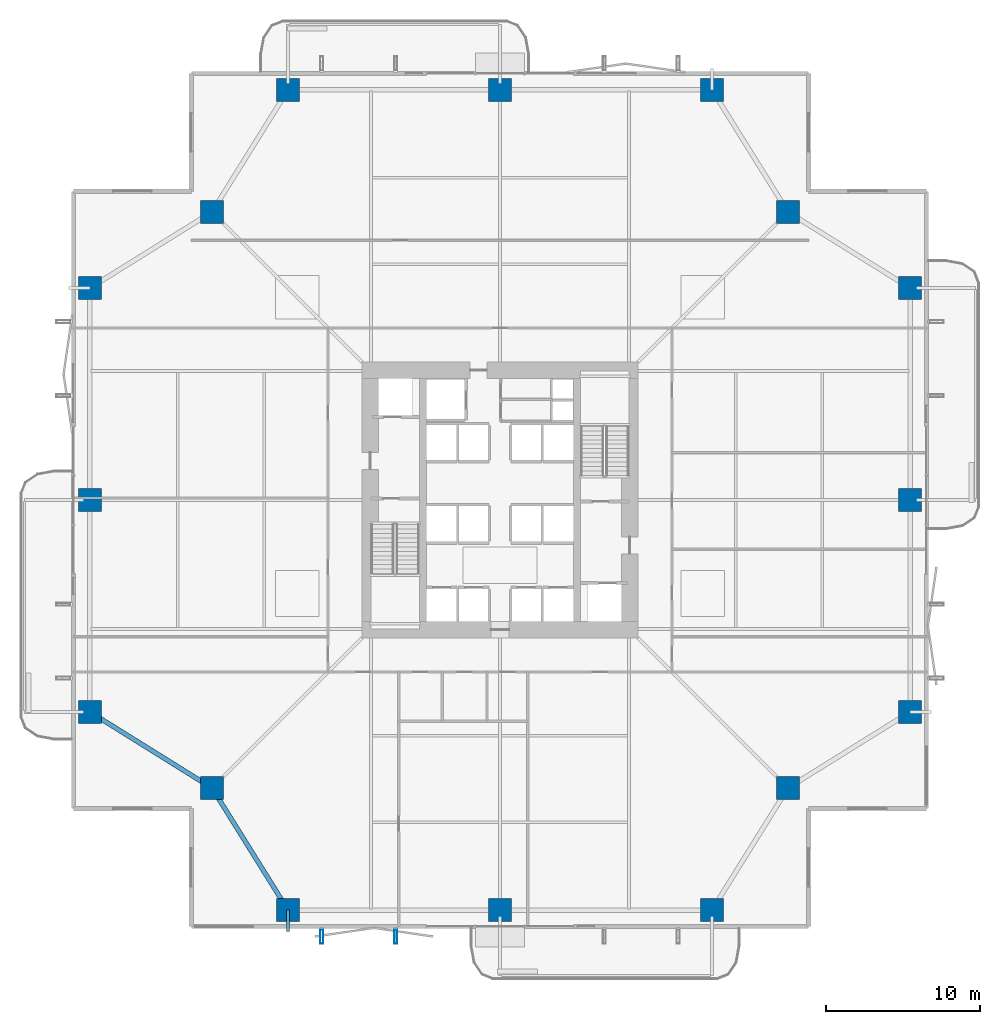
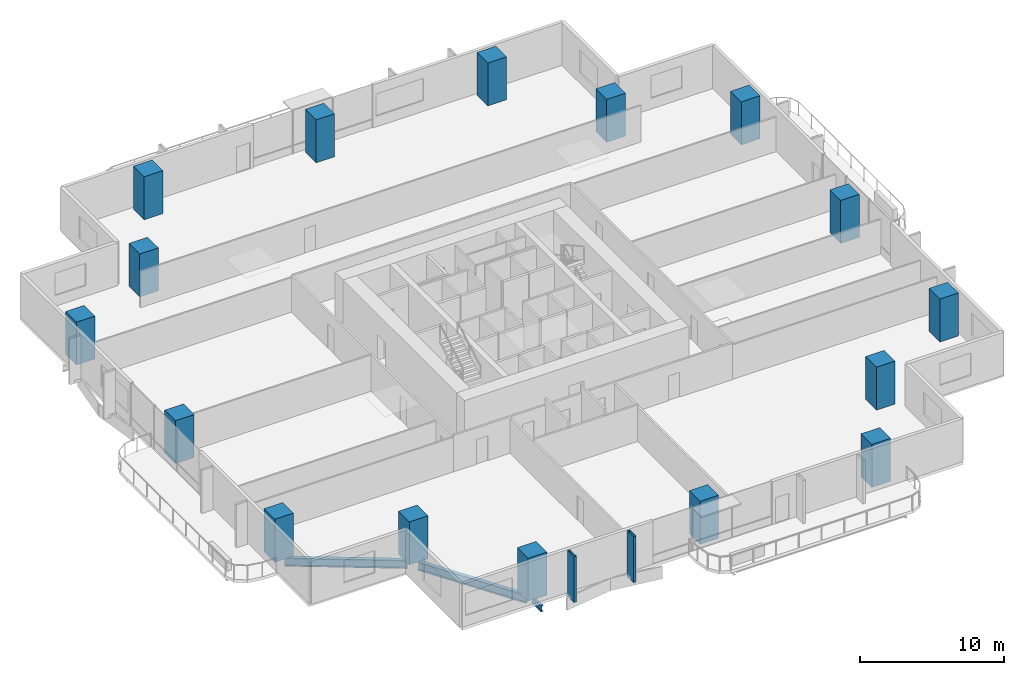
# One storey, part 1 of 24: 16 columns, 3 beams, 2 members.
"""IFC4 building model written with IfcOpenShell, lengths in metres."""

from ifc_helpers import new_model, si_unit, direction, frame, origin, origin_2d, place, context, subcontext, project, spatial, rectangle, hollow_rectangle, i_section, extrude, material, material_profile, profile_set, type_object, element, save


model = new_model("IFC4")

# Units and contexts
model_context = context("Model", 3, precision=1e-05, world=origin(), true_north=direction((0.0, 1.0)))
body_context = subcontext(model_context, "Body", "Model", "MODEL_VIEW")
ifc_project = project(units=[si_unit("LENGTHUNIT", "METRE"), si_unit("AREAUNIT", "SQUARE_METRE"), si_unit("VOLUMEUNIT", "CUBIC_METRE"), si_unit("PLANEANGLEUNIT", "RADIAN"), si_unit("MASSUNIT", "GRAM", prefix="KILO")], contexts=[model_context])

# Site, building, storey
site_placement = place(None, origin())
site = spatial("IfcSite", under=ifc_project, at=site_placement, CompositionType="ELEMENT")
building_placement = place(site_placement, origin())
building = spatial("IfcBuilding", under=site, at=building_placement, Name="Belovzor Exchange Tower", CompositionType="ELEMENT")
storey_placement = place(building_placement, frame((0.0, 0.0, 92.39990234375)))
storey = spatial("IfcBuildingStorey", under=building, at=storey_placement, Name="L22", CompositionType="ELEMENT", Elevation=92.39990234375)

# Columns
ifc_material_1 = material(Name="Concrete C60/75", Category="concrete")
ifc_material_profile_1 = material_profile(ifc_material_1, rectangle(XDim=1.5, YDim=1.5, at=origin_2d()))
ifc_profile_set_1 = profile_set([ifc_material_profile_1], Name="Concrete C60/75")
column_type = type_object("IfcColumnType", Name="Reinforced Concrete Tower Column 1500x1500", PredefinedType="COLUMN", material=ifc_profile_set_1)
for number, where, z_axis, x_axis, name in (
    (1, (15.0, 2.10009765625, 0.003173828125), (0.0, 0.0, 1.0), (1.0, 0.0, 0.0), "COL-T150 Reinforced Concrete Tower Column 1500x1500"),
    (2, (28.800048828125, 2.10009765625, 0.003173828125), (0.0, 0.0, 1.0), (1.0, 0.0, 0.0), "COL-T150 Reinforced Concrete Tower Column 1500x1500"),
    (3, (42.60009765625, 2.10009765625, 0.003173828125), (0.0, 0.0, 1.0), (1.0, 0.0, 0.0), "COL-T150 Reinforced Concrete Tower Column 1500x1500"),
    (4, (55.5, 15.0, 0.003173828125), (0.0, 0.0, 1.0), (1.0, 0.0, 0.0), "COL-T150 Reinforced Concrete Tower Column 1500x1500"),
    (5, (55.5, 28.800048828125, 0.003173828125), (0.0, 0.0, 1.0), (1.0, 0.0, 0.0), "COL-T150 Reinforced Concrete Tower Column 1500x1500"),
    (6, (55.5, 42.60009765625, 0.003173828125), (0.0, 0.0, 1.0), (1.0, 0.0, 0.0), "COL-T150 Reinforced Concrete Tower Column 1500x1500"),
    (7, (42.60009765625, 55.5, 0.003173828125), (0.0, 0.0, 1.0), (1.0, 0.0, 0.0), "COL-T150 Reinforced Concrete Tower Column 1500x1500"),
    (8, (28.800048828125, 55.5, 0.003173828125), (0.0, 0.0, 1.0), (1.0, 0.0, 0.0), "COL-T150 Reinforced Concrete Tower Column 1500x1500"),
    (9, (15.0, 55.5, 0.003173828125), (0.0, 0.0, 1.0), (1.0, 0.0, 0.0), "COL-T150 Reinforced Concrete Tower Column 1500x1500"),
    (10, (2.10009765625, 42.60009765625, 0.003173828125), (0.0, 0.0, 1.0), (1.0, 0.0, 0.0), "COL-T150 Reinforced Concrete Tower Column 1500x1500"),
    (11, (2.10009765625, 28.800048828125, 0.003173828125), (0.0, 0.0, 1.0), (1.0, 0.0, 0.0), "COL-T150 Reinforced Concrete Tower Column 1500x1500"),
    (12, (2.10009765625, 15.0, 0.003173828125), (0.0, 0.0, 1.0), (1.0, 0.0, 0.0), "COL-T150 Reinforced Concrete Tower Column 1500x1500"),
    (13, (10.050048828125, 10.050048828125, 0.003173828125), (0.0, 0.0, 1.0), (1.0, 0.0, 0.0), "COL-T150 Reinforced Concrete Tower Column 1500x1500"),
    (14, (47.550048828125, 10.050048828125, 0.003173828125), (0.0, 0.0, 1.0), (1.0, 0.0, 0.0), "COL-T150 Reinforced Concrete Tower Column 1500x1500"),
    (15, (47.550048828125, 47.550048828125, 0.003173828125), (0.0, 0.0, 1.0), (1.0, 0.0, 0.0), "COL-T150 Reinforced Concrete Tower Column 1500x1500"),
    (16, (10.050048828125, 47.550048828125, 0.003173828125), (0.0, 0.0, 1.0), (1.0, 0.0, 0.0), "COL-T150 Reinforced Concrete Tower Column 1500x1500"),
):
    element("IfcColumn", number, at=place(storey_placement, frame(where, z_axis=z_axis, x_axis=x_axis)), inside=storey, type_object=column_type, Name=name, PredefinedType="COLUMN", context=body_context, shape_type="SweptSolid", body=[
        extrude(rectangle(XDim=1.5, YDim=1.5, at=origin_2d()), origin(), (0.0, 0.0, 1.0), 3.64404296875),
    ])

# Beam
ifc_material_2 = material(Name="Steel S355", Category="steel")
ifc_material_profile_2 = material_profile(ifc_material_2, i_section(OverallWidth=0.199951171875, OverallDepth=0.5, WebThickness=0.01025390625, FlangeThickness=0.01611328125, at=origin_2d()))
ifc_profile_set_2 = profile_set([ifc_material_profile_2], Name="Steel S355")
beam_type_1 = type_object("IfcBeamType", Name="Planted Balcony Cantilever Beam IPE 500", PredefinedType="BEAM", material=ifc_profile_set_2)
beam_placement = place(storey_placement, frame((15.0, 2.10009765625, -0.5), z_axis=(0.0, -1.0, 0.0), x_axis=(1.0, 0.0, 0.0)))
element("IfcBeam", 17, at=beam_placement, inside=storey, type_object=beam_type_1, Name="BC-500 Planted Balcony Cantilever Beam IPE 500", PredefinedType="BEAM", context=body_context, shape_type="SweptSolid", body=[
    extrude(i_section(OverallWidth=0.199951171875, OverallDepth=0.5, WebThickness=0.01025390625, FlangeThickness=0.01611328125, at=origin_2d()), origin(), (0.0, 0.0, 1.0), 1.400146484375),
])

# Members
ifc_material_3 = material(Name="Extruded Architectural Terracotta on Steel S355 Carrier", Category="masonry")
ifc_material_profile_3 = material_profile(ifc_material_3, hollow_rectangle(XDim=0.199951171875, YDim=0.89990234375, WallThickness=0.011962890625, at=origin_2d()))
ifc_profile_set_3 = profile_set([ifc_material_profile_3], Name="Extruded Architectural Terracotta on Steel S355 Carrier")
member_type = type_object("IfcMemberType", Name="Sweeping Terracotta Baguette Fin Assembly 1250", PredefinedType="USERDEFINED", material=ifc_profile_set_3)
for number, where, z_axis, x_axis, name in (
    (18, (17.199951171875, 0.375, -0.25), (0.0, 0.0, 1.0), (1.0, 0.0, 0.0), "FIN-TC125 Terracotta Facade Fin L22 S1"),
    (19, (22.0, 0.375, -0.25), (0.0, 0.0, 1.0), (1.0, 0.0, 0.0), "FIN-TC125 Terracotta Facade Fin L22 S2"),
):
    element("IfcMember", number, at=place(storey_placement, frame(where, z_axis=z_axis, x_axis=x_axis)), inside=storey, type_object=member_type, Name=name, ObjectType="FIN", PredefinedType="USERDEFINED", context=body_context, shape_type="SweptSolid", body=[
        extrude(hollow_rectangle(XDim=0.199951171875, YDim=0.89990234375, WallThickness=0.011962890625, at=origin_2d()), origin(), (0.0, 0.0, 1.0), 3.900146484375),
    ])

# Beams
ifc_material_4 = material(Name="Steel S355", Category="steel")
ifc_material_profile_4 = material_profile(ifc_material_4, i_section(OverallWidth=0.300048828125, OverallDepth=0.699951171875, WebThickness=0.01708984375, FlangeThickness=0.031982421875, at=origin_2d()))
ifc_profile_set_4 = profile_set([ifc_material_profile_4], Name="Steel S355")
beam_type_2 = type_object("IfcBeamType", Name="Zone 1 Primary Perimeter Girder HEB 700", PredefinedType="BEAM", material=ifc_profile_set_4)
for number, where, z_axis, x_axis, name in (
    (20, (10.26806640625, 9.699951171875, -0.599853515625), (0.528538629686, -0.848909251292, 0.0), (0.848909251292, 0.528538629686, 0.0), "FG-Z1 Zone 1 Primary Perimeter Girder HEB 700"),
    (21, (2.449951171875, 14.781982421875, -0.599853515625), (0.848909251292, -0.528538629686, 0.0), (0.528538629686, 0.848909251292, 0.0), "FG-Z1 Zone 1 Primary Perimeter Girder HEB 700"),
):
    element("IfcBeam", number, at=place(storey_placement, frame(where, z_axis=z_axis, x_axis=x_axis)), inside=storey, type_object=beam_type_2, Name=name, PredefinedType="BEAM", context=body_context, shape_type="SweptSolid", body=[
        extrude(i_section(OverallWidth=0.300048828125, OverallDepth=0.699951171875, WebThickness=0.01708984375, FlangeThickness=0.031982421875, at=origin_2d()), origin(), (0.0, 0.0, 1.0), 8.540283203125),
    ])

save(model, "model.ifc")
